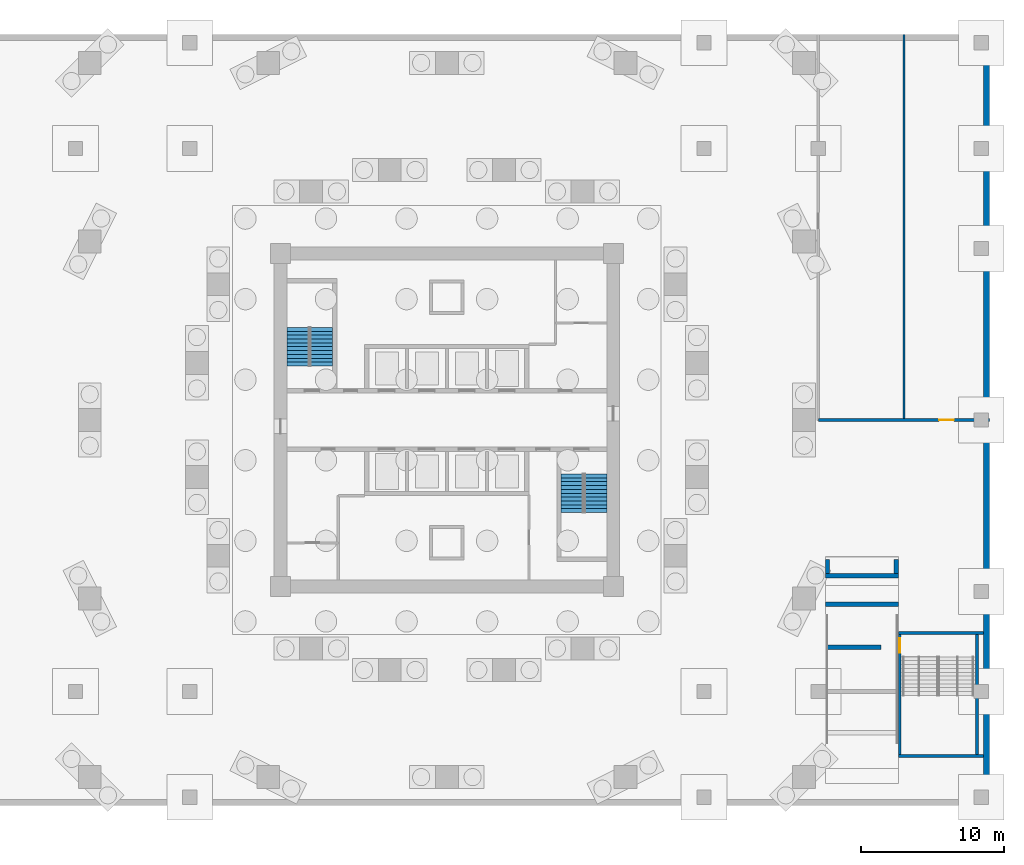
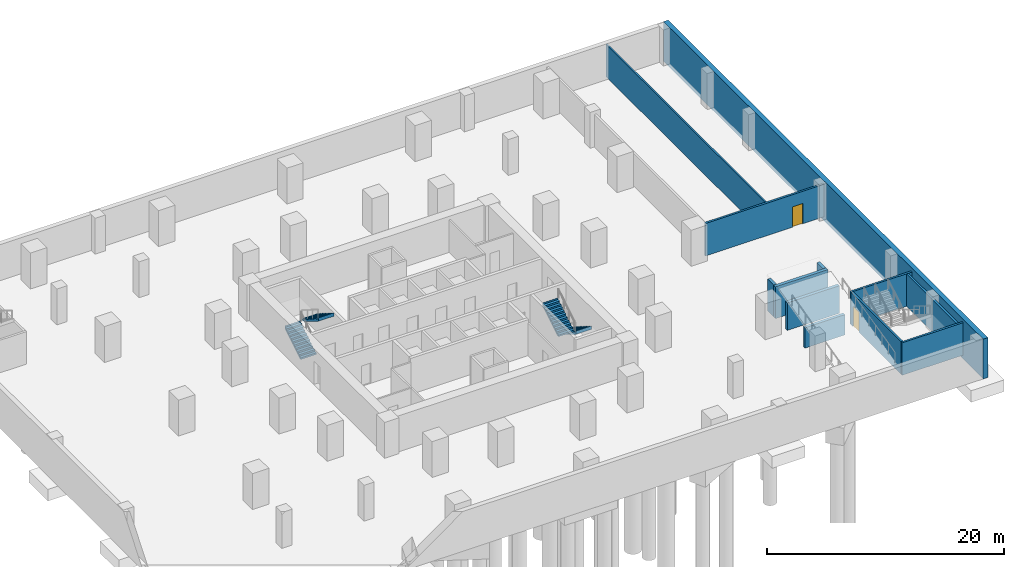
# One storey, part 7 of 11: 12 walls, 4 stair flights, 2 doors, 2 openings, 2 elements without a shape of their own.
"""IFC4 building model written with IfcOpenShell, lengths in metres."""

from ifc_helpers import new_model, si_unit, direction, frame, frame_2d, origin, place, context, subcontext, project, spatial, polyline, rectangle, outline, extrude, material, layer, layer_set, type_object, element, fill, aggregate, save


model = new_model("IFC4")

# Units and contexts
model_context = context("Model", 3, precision=1e-05, world=origin(), true_north=direction((0.0, 1.0)))
body_context = subcontext(model_context, "Body", "Model", "MODEL_VIEW")
ifc_project = project(units=[si_unit("LENGTHUNIT", "METRE"), si_unit("AREAUNIT", "SQUARE_METRE"), si_unit("VOLUMEUNIT", "CUBIC_METRE"), si_unit("PLANEANGLEUNIT", "RADIAN"), si_unit("MASSUNIT", "GRAM", prefix="KILO")], contexts=[model_context])

# Site, building, storey
site_placement = place(None, origin())
site = spatial("IfcSite", under=ifc_project, at=site_placement, CompositionType="ELEMENT")
building_placement = place(site_placement, origin())
building = spatial("IfcBuilding", under=site, at=building_placement, Name="Torsade Residences", CompositionType="ELEMENT")
storey_placement = place(building_placement, frame((0.0, 0.0, -7.39990234375)))
storey = spatial("IfcBuildingStorey", under=building, at=storey_placement, Name="B2", CompositionType="ELEMENT", Elevation=-7.39990234375)

# Walls
ifc_material_1 = material(Name="Concrete 50 MPa", Category="concrete")
ifc_layer_1 = layer(ifc_material_1, 0.449951171875)
ifc_layer_set_1 = layer_set([ifc_layer_1], Name="Concrete 50 MPa")
wall_type_1 = type_object("IfcWallType", Name="BASEMENT RETAINING WALL 450", PredefinedType="SHEAR", material=ifc_layer_set_1)
wall_1_placement = place(storey_placement, frame((77.77490234375, 3.0, -0.400146484375), z_axis=(0.0, 0.0, 1.0), x_axis=(0.0, 1.0, 0.0)))
element("IfcWall", 1, at=wall_1_placement, inside=storey, type_object=wall_type_1, Name="Retaining wall E B2", PredefinedType="SHEAR", context=body_context, shape_type="SweptSolid", body=[
    extrude(rectangle(XDim=54.0, YDim=0.449951171875, at=frame_2d((27.0, 0.0))), origin(), (0.0, 0.0, 1.0), 4.10009765625),
])
ifc_material_2 = material(Name="Concrete 80 MPa", Category="concrete")
ifc_layer_2 = layer(ifc_material_2, 0.300048828125)
ifc_layer_set_2 = layer_set([ifc_layer_2], Name="Concrete 80 MPa")
wall_type_2 = type_object("IfcWallType", Name="CAR PARK RAMP SUPPORT WALL 300", PredefinedType="SHEAR", material=ifc_layer_set_2)
wall_2_placement = place(storey_placement, frame((66.5, 14.10009765625, 0.0), z_axis=(0.0, 0.0, 1.0), x_axis=(1.0, 0.0, 0.0)))
element("IfcWall", 2, at=wall_2_placement, inside=storey, type_object=wall_type_2, Name="Car park ramp R1 support wall 3", PredefinedType="SHEAR", context=body_context, shape_type="SweptSolid", body=[
    extrude(rectangle(XDim=3.89990234375, YDim=0.300048828125, at=frame_2d((1.949951171875, 0.0))), origin(), (0.0, 0.0, 1.0), 2.090087890625),
])
wall_3_placement = place(storey_placement, frame((66.5, 17.10009765625, 0.0), z_axis=(0.0, 0.0, 1.0), x_axis=(1.0, 0.0, 0.0)))
element("IfcWall", 3, at=wall_3_placement, inside=storey, type_object=wall_type_2, Name="Car park ramp R1 support wall 4", PredefinedType="SHEAR", context=body_context, shape_type="SweptSolid", body=[
    extrude(rectangle(XDim=5.10009765625, YDim=0.300048828125, at=frame_2d((2.550048828125, 0.0))), origin(), (0.0, 0.0, 1.0), 2.840087890625),
])
wall_4_placement = place(storey_placement, frame((66.5, 19.10009765625, 0.0), z_axis=(0.0, 0.0, 1.0), x_axis=(1.0, 0.0, 0.0)))
element("IfcWall", 4, at=wall_4_placement, inside=storey, type_object=wall_type_2, Name="Car park ramp R1 support wall 5", PredefinedType="SHEAR", context=body_context, shape_type="SweptSolid", body=[
    extrude(rectangle(XDim=5.10009765625, YDim=0.300048828125, at=frame_2d((2.550048828125, 0.0))), origin(), (0.0, 0.0, 1.0), 3.27685546875),
])
for number, where, z_axis, x_axis, name in (
    (5, (66.64990234375, 19.25, 0.0), (0.0, 0.0, 1.0), (0.0, 1.0, 0.0), "Car park ramp R1 support wall 6"),
    (6, (71.449951171875, 19.25, 0.0), (0.0, 0.0, 1.0), (0.0, 1.0, 0.0), "Car park ramp R1 support wall 7"),
):
    element("IfcWall", number, at=place(storey_placement, frame(where, z_axis=z_axis, x_axis=x_axis)), inside=storey, type_object=wall_type_2, Name=name, PredefinedType="SHEAR", context=body_context, shape_type="SweptSolid", body=[
        extrude(rectangle(XDim=1.0, YDim=0.300048828125, at=frame_2d((0.5, 0.0))), origin(), (0.0, 0.0, 1.0), 3.314208984375),
    ])

# Wall, opening, door
ifc_material_3 = material(Name="Plasterboard on steel stud", Category="steel")
ifc_layer_3 = layer(ifc_material_3, 0.199951171875)
ifc_layer_set_3 = layer_set([ifc_layer_3], Name="Plasterboard on steel stud")
wall_type_3 = type_object("IfcWallType", Name="CORRIDOR WALL 200", PredefinedType="PARTITIONING", material=ifc_layer_set_3)
wall_5_placement = place(storey_placement, frame((66.0, 30.0, 0.0), z_axis=(0.0, 0.0, 1.0), x_axis=(1.0, 0.0, 0.0)))
wall_5 = element("IfcWall", 7, at=wall_5_placement, inside=storey, type_object=wall_type_3, Name="Corridor wall B2", PredefinedType="PARTITIONING", context=body_context, shape_type="SweptSolid", body=[
    extrude(rectangle(XDim=12.0, YDim=0.199951171875, at=frame_2d((6.0, 0.0))), origin(), (0.0, 0.0, 1.0), 3.349853515625),
])
opening_1_placement = place(wall_5_placement, frame((8.465087890625, 0.0, 0.0)))
opening_1 = element("IfcOpeningElement", 8, at=opening_1_placement, cuts=wall_5, Name="Opening D03", PredefinedType="OPENING", context=body_context, shape_type="SweptSolid", body=[
    extrude(rectangle(XDim=1.02001953125, YDim=2.10009765625, at=frame_2d((0.510009765625, 1.050048828125))), frame((0.0, 0.10986328125, 0.0), z_axis=(0.0, -1.0, 0.0), x_axis=(1.0, 0.0, 0.0)), (0.0, 0.0, 1.0), 0.219970703125),
])
ifc_material_4 = material(Name="Steel-framed fire door", Category="steel")
door_type = type_object("IfcDoorType", Name="FIRE DOOR 1020", OperationType="NOTDEFINED", PredefinedType="DOOR", material=ifc_material_4)
door_1_placement = place(opening_1_placement, origin())
door_1 = element("IfcDoor", 9, at=door_1_placement, inside=storey, type_object=door_type, Name="Door Car park ramp to Bicycle store", OperationType="SINGLE_SWING_RIGHT", OverallHeight=2.10009765625, OverallWidth=1.02001953125, PredefinedType="DOOR", context=body_context, shape_type="SweptSolid", body=[
    extrude(rectangle(XDim=1.02001953125, YDim=2.10009765625, at=frame_2d((0.510009765625, 1.050048828125))), frame((0.0, 0.02490234375, 0.0), z_axis=(0.0, -1.0, 0.0), x_axis=(1.0, 0.0, 0.0)), (0.0, 0.0, 1.0), 0.050048828125),
])
fill(opening_1, door_1)

# Walls
ifc_material_5 = material(Name="Reinforced blockwork", Category="masonry")
ifc_layer_4 = layer(ifc_material_5, 0.199951171875)
ifc_layer_set_4 = layer_set([ifc_layer_4], Name="Reinforced blockwork")
wall_type_4 = type_object("IfcWallType", Name="PODIUM STAIR ENCLOSURE WALL 200", PredefinedType="SOLIDWALL", material=ifc_layer_set_4)
wall_6_placement = place(storey_placement, frame((71.60009765625, 6.47998046875, 0.0), z_axis=(0.0, 0.0, 1.0), x_axis=(1.0, 0.0, 0.0)))
element("IfcWall", 10, at=wall_6_placement, inside=storey, type_object=wall_type_4, Name="Stair enclosure wall B2", PredefinedType="SOLIDWALL", context=body_context, shape_type="SweptSolid", body=[
    extrude(rectangle(XDim=5.949951171875, YDim=0.199951171875, at=frame_2d((2.97509765625, 0.0))), origin(), (0.0, 0.0, 1.0), 3.349853515625),
])
wall_7_placement = place(storey_placement, frame((77.10009765625, 6.580078125, 0.0), z_axis=(0.0, 0.0, 1.0), x_axis=(0.0, 1.0, 0.0)))
element("IfcWall", 11, at=wall_7_placement, inside=storey, type_object=wall_type_4, Name="Stair enclosure wall B2", PredefinedType="SOLIDWALL", context=body_context, shape_type="SweptSolid", body=[
    extrude(rectangle(XDim=8.419921875, YDim=0.199951171875, at=frame_2d((4.2099609375, 0.0))), origin(), (0.0, 0.0, 1.0), 3.349853515625),
])
wall_8_placement = place(storey_placement, frame((77.550048828125, 15.10009765625, 0.0), z_axis=(0.0, 0.0, 1.0), x_axis=(-1.0, 0.0, 0.0)))
element("IfcWall", 12, at=wall_8_placement, inside=storey, type_object=wall_type_4, Name="Stair enclosure wall B2", PredefinedType="SOLIDWALL", context=body_context, shape_type="SweptSolid", body=[
    extrude(rectangle(XDim=5.949951171875, YDim=0.199951171875, at=frame_2d((2.97509765625, 0.0))), origin(), (0.0, 0.0, 1.0), 3.349853515625),
])

# Wall, opening, door
wall_9_placement = place(storey_placement, frame((71.699951171875, 15.0, 0.0), z_axis=(0.0, 0.0, 1.0), x_axis=(0.0, -1.0, 0.0)))
wall_9 = element("IfcWall", 13, at=wall_9_placement, inside=storey, type_object=wall_type_4, Name="Stair enclosure wall B2", PredefinedType="SOLIDWALL", context=body_context, shape_type="SweptSolid", body=[
    extrude(rectangle(XDim=8.419921875, YDim=0.199951171875, at=frame_2d((4.2099609375, 0.0))), origin(), (0.0, 0.0, 1.0), 3.349853515625),
])
opening_2_placement = place(wall_9_placement, frame((0.280029296875, 0.0, 0.0)))
opening_2 = element("IfcOpeningElement", 14, at=opening_2_placement, cuts=wall_9, Name="Opening D03", PredefinedType="OPENING", context=body_context, shape_type="SweptSolid", body=[
    extrude(rectangle(XDim=1.02001953125, YDim=2.10009765625, at=frame_2d((0.510009765625, 1.050048828125))), frame((0.0, 0.10986328125, 0.0), z_axis=(0.0, -1.0, 0.0), x_axis=(1.0, 0.0, 0.0)), (0.0, 0.0, 1.0), 0.219970703125),
])
door_2_placement = place(opening_2_placement, origin())
door_2 = element("IfcDoor", 15, at=door_2_placement, inside=storey, type_object=door_type, Name="Exit door to fire-isolated stair ST4 B2", OperationType="SINGLE_SWING_LEFT", OverallHeight=2.10009765625, OverallWidth=1.02001953125, PredefinedType="DOOR", context=body_context, shape_type="SweptSolid", body=[
    extrude(rectangle(XDim=1.02001953125, YDim=2.10009765625, at=frame_2d((0.510009765625, 1.050048828125))), frame((0.0, 0.02490234375, 0.0), z_axis=(0.0, -1.0, 0.0), x_axis=(1.0, 0.0, 0.0)), (0.0, 0.0, 1.0), 0.050048828125),
])
fill(opening_2, door_2)

# Wall
ifc_material_6 = material(Name="Reinforced blockwork", Category="masonry")
ifc_layer_5 = layer(ifc_material_6, 0.14990234375)
ifc_layer_set_5 = layer_set([ifc_layer_5], Name="Reinforced blockwork")
wall_type_5 = type_object("IfcWallType", Name="SERVICE ROOM WALL 150", PredefinedType="SOLIDWALL", material=ifc_layer_set_5)
wall_10_placement = place(storey_placement, frame((72.0, 57.0, 0.0), z_axis=(0.0, 0.0, 1.0), x_axis=(0.0, -1.0, 0.0)))
element("IfcWall", 16, at=wall_10_placement, inside=storey, type_object=wall_type_5, Name="Service room wall B2", PredefinedType="SOLIDWALL", context=body_context, shape_type="SweptSolid", body=[
    extrude(rectangle(XDim=27.0, YDim=0.14990234375, at=frame_2d((13.5, 0.0))), origin(), (0.0, 0.0, 1.0), 3.349853515625),
])

# Stair, stair flights
ifc_material_7 = material(Name="Precast concrete 40 MPa", Category="concrete")
stair_type = type_object("IfcStairType", Name="HALF-TURN FIRE STAIR 1500x3700", PredefinedType="HALF_TURN_STAIR", material=ifc_material_7)
stair_1_placement = place(storey_placement, origin())
stair_1 = element("IfcStair", 17, at=stair_1_placement, inside=storey, type_object=stair_type, Name="Stair ST1 B2", PredefinedType="HALF_TURN_STAIR")
ifc_material_8 = material(Name="Precast concrete 40 MPa", Category="concrete")
stair_flight_type = type_object("IfcStairFlightType", Name="PRECAST STAIR FLIGHT 1500x1850", PredefinedType="STRAIGHT", material=ifc_material_8)
stair_flight_1_placement = place(storey_placement, frame((29.550048828125, 33.780029296875, 0.0), z_axis=(0.0, 0.0, 1.0), x_axis=(0.0, 1.0, 0.0)))
stair_flight_1 = element("IfcStairFlight", 18, at=stair_flight_1_placement, type_object=stair_flight_type, Name="ST1 flight 1", NumberOfRisers=11, NumberOfTreads=10, PredefinedType="STRAIGHT", RiserHeight=0.168181818, TreadLength=0.27, context=body_context, shape_type="SweptSolid", body=[
    extrude(outline(polyline([(0.0, 0.0), (0.0, 0.168212890625), (0.27001953125, 0.168212890625), (0.27001953125, 0.33642578125), (0.5400390625, 0.33642578125), (0.5400390625, 0.504638671875), (0.81005859375, 0.504638671875), (0.81005859375, 0.672607421875), (1.080078125, 0.672607421875), (1.080078125, 0.8408203125), (1.35009765625, 0.8408203125), (1.35009765625, 1.009033203125), (1.6201171875, 1.009033203125), (1.6201171875, 1.17724609375), (1.889892578125, 1.17724609375), (1.889892578125, 1.345458984375), (2.159912109375, 1.345458984375), (2.159912109375, 1.513671875), (2.429931640625, 1.513671875), (2.429931640625, 1.681884765625), (2.699951171875, 1.681884765625), (2.699951171875, 1.85009765625), (2.7099609375, 1.85009765625), (2.7099609375, 1.505126953125), (2.699951171875, 1.505126953125), (0.283447265625, 0.0), (0.0, 0.0)])), frame((0.0, 0.75, 0.0), z_axis=(0.0, -1.0, 0.0), x_axis=(1.0, 0.0, 0.0)), (0.0, 0.0, 1.0), 1.5),
])
stair_flight_2_placement = place(storey_placement, frame((31.25, 36.47998046875, 1.849853515625), z_axis=(0.0, 0.0, 1.0), x_axis=(0.0, -1.0, 0.0)))
stair_flight_2 = element("IfcStairFlight", 19, at=stair_flight_2_placement, type_object=stair_flight_type, Name="ST1 flight 2", NumberOfRisers=11, NumberOfTreads=10, PredefinedType="STRAIGHT", RiserHeight=0.168181818, TreadLength=0.27, context=body_context, shape_type="SweptSolid", body=[
    extrude(outline(polyline([(0.0, 0.0), (0.0, 0.168212890625), (0.27001953125, 0.168212890625), (0.27001953125, 0.33642578125), (0.5400390625, 0.33642578125), (0.5400390625, 0.504638671875), (0.81005859375, 0.504638671875), (0.81005859375, 0.672607421875), (1.080078125, 0.672607421875), (1.080078125, 0.8408203125), (1.35009765625, 0.8408203125), (1.35009765625, 1.009033203125), (1.6201171875, 1.009033203125), (1.6201171875, 1.17724609375), (1.889892578125, 1.17724609375), (1.889892578125, 1.345458984375), (2.159912109375, 1.345458984375), (2.159912109375, 1.513671875), (2.429931640625, 1.513671875), (2.429931640625, 1.681884765625), (2.699951171875, 1.681884765625), (2.699951171875, 1.85009765625), (2.7099609375, 1.85009765625), (2.7099609375, 1.505126953125), (2.699951171875, 1.505126953125), (0.283447265625, 0.0), (0.0, 0.0)])), frame((0.0, 0.75, 0.0), z_axis=(0.0, -1.0, 0.0), x_axis=(1.0, 0.0, 0.0)), (0.0, 0.0, 1.0), 1.5),
])
aggregate(stair_1, [stair_flight_1, stair_flight_2])

stair_2_placement = place(storey_placement, origin())
stair_2 = element("IfcStair", 20, at=stair_2_placement, inside=storey, type_object=stair_type, Name="Stair ST2 B2", PredefinedType="HALF_TURN_STAIR")
stair_flight_3_placement = place(storey_placement, frame((50.449951171875, 26.219970703125, 0.0), z_axis=(0.0, 0.0, 1.0), x_axis=(0.0, -1.0, 0.0)))
stair_flight_3 = element("IfcStairFlight", 21, at=stair_flight_3_placement, type_object=stair_flight_type, Name="ST2 flight 1", NumberOfRisers=11, NumberOfTreads=10, PredefinedType="STRAIGHT", RiserHeight=0.168181818, TreadLength=0.27, context=body_context, shape_type="SweptSolid", body=[
    extrude(outline(polyline([(0.0, 0.0), (0.0, 0.168212890625), (0.27001953125, 0.168212890625), (0.27001953125, 0.33642578125), (0.5400390625, 0.33642578125), (0.5400390625, 0.504638671875), (0.81005859375, 0.504638671875), (0.81005859375, 0.672607421875), (1.080078125, 0.672607421875), (1.080078125, 0.8408203125), (1.35009765625, 0.8408203125), (1.35009765625, 1.009033203125), (1.6201171875, 1.009033203125), (1.6201171875, 1.17724609375), (1.889892578125, 1.17724609375), (1.889892578125, 1.345458984375), (2.159912109375, 1.345458984375), (2.159912109375, 1.513671875), (2.429931640625, 1.513671875), (2.429931640625, 1.681884765625), (2.699951171875, 1.681884765625), (2.699951171875, 1.85009765625), (2.7099609375, 1.85009765625), (2.7099609375, 1.505126953125), (2.699951171875, 1.505126953125), (0.283447265625, 0.0), (0.0, 0.0)])), frame((0.0, 0.75, 0.0), z_axis=(0.0, -1.0, 0.0), x_axis=(1.0, 0.0, 0.0)), (0.0, 0.0, 1.0), 1.5),
])
stair_flight_4_placement = place(storey_placement, frame((48.75, 23.52001953125, 1.849853515625), z_axis=(0.0, 0.0, 1.0), x_axis=(0.0, 1.0, 0.0)))
stair_flight_4 = element("IfcStairFlight", 22, at=stair_flight_4_placement, type_object=stair_flight_type, Name="ST2 flight 2", NumberOfRisers=11, NumberOfTreads=10, PredefinedType="STRAIGHT", RiserHeight=0.168181818, TreadLength=0.27, context=body_context, shape_type="SweptSolid", body=[
    extrude(outline(polyline([(0.0, 0.0), (0.0, 0.168212890625), (0.27001953125, 0.168212890625), (0.27001953125, 0.33642578125), (0.5400390625, 0.33642578125), (0.5400390625, 0.504638671875), (0.81005859375, 0.504638671875), (0.81005859375, 0.672607421875), (1.080078125, 0.672607421875), (1.080078125, 0.8408203125), (1.35009765625, 0.8408203125), (1.35009765625, 1.009033203125), (1.6201171875, 1.009033203125), (1.6201171875, 1.17724609375), (1.889892578125, 1.17724609375), (1.889892578125, 1.345458984375), (2.159912109375, 1.345458984375), (2.159912109375, 1.513671875), (2.429931640625, 1.513671875), (2.429931640625, 1.681884765625), (2.699951171875, 1.681884765625), (2.699951171875, 1.85009765625), (2.7099609375, 1.85009765625), (2.7099609375, 1.505126953125), (2.699951171875, 1.505126953125), (0.283447265625, 0.0), (0.0, 0.0)])), frame((0.0, 0.75, 0.0), z_axis=(0.0, -1.0, 0.0), x_axis=(1.0, 0.0, 0.0)), (0.0, 0.0, 1.0), 1.5),
])
aggregate(stair_2, [stair_flight_3, stair_flight_4])

save(model, "model.ifc")
